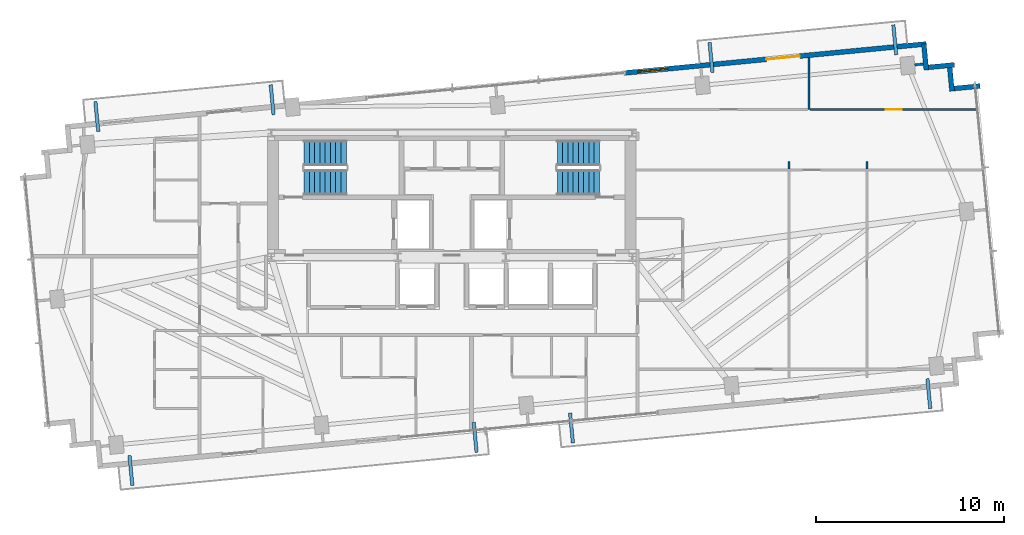
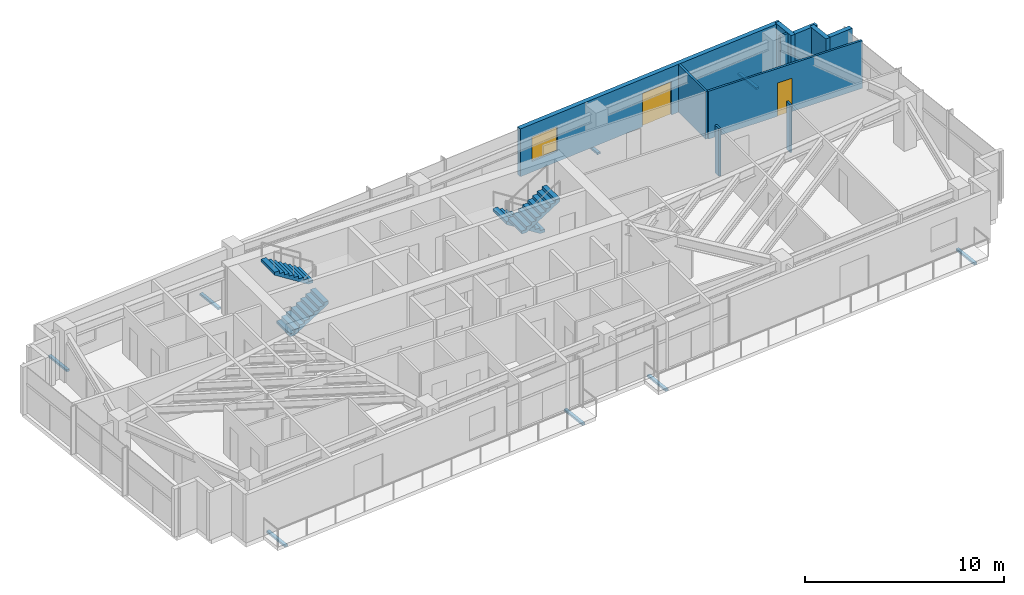
# One storey, part 16 of 18: 10 walls, 8 discrete accessories, 4 stair flights, 2 doors, 1 window, 3 openings, 2 elements without a shape of their own.
"""IFC4 building model written with IfcOpenShell, lengths in metres."""

from ifc_helpers import new_model, si_unit, direction, frame, frame_2d, origin, origin_2d, place, context, subcontext, project, spatial, polyline, rectangle, outline, extrude, source, transform, mapped, material, layer, layer_set, type_object, type_shapes, element, fill, aggregate, save


model = new_model("IFC4")

# Units and contexts
model_context = context("Model", 3, precision=1e-05, world=origin(), true_north=direction((0.0, 1.0)))
body_context = subcontext(model_context, "Body", "Model", "MODEL_VIEW")
ifc_project = project(units=[si_unit("LENGTHUNIT", "METRE"), si_unit("AREAUNIT", "SQUARE_METRE"), si_unit("VOLUMEUNIT", "CUBIC_METRE"), si_unit("PLANEANGLEUNIT", "RADIAN"), si_unit("MASSUNIT", "GRAM", prefix="KILO")], contexts=[model_context])

# Site, building, storey
site_placement = place(None, origin())
site = spatial("IfcSite", under=ifc_project, at=site_placement, CompositionType="ELEMENT")
building_placement = place(site_placement, origin())
building = spatial("IfcBuilding", under=site, at=building_placement, Name="Astriad Promenade Condominiums", CompositionType="ELEMENT")
storey_placement = place(building_placement, frame((0.0, 0.0, 179.39990234375)))
storey = spatial("IfcBuildingStorey", under=building, at=storey_placement, Name="L51", CompositionType="ELEMENT", Elevation=179.39990234375)

# Wall, openings, door, window
ifc_material_1 = material(Name="Precast concrete C50/60", Category="concrete")
ifc_layer_1 = layer(ifc_material_1, 0.260009765625)
ifc_layer_set_1 = layer_set([ifc_layer_1], Name="Precast concrete C50/60")
wall_type_1 = type_object("IfcWallType", Name="WALL-EXT-TWR-260", PredefinedType="STANDARD", material=ifc_layer_set_1)
wall_1_placement = place(storey_placement, frame((45.198974609375, 27.189697265625, 0.0), z_axis=(0.0, 0.0, 1.0), x_axis=(0.995397074604, 0.095836652014, 0.0)))
wall_1 = element("IfcWall", 1, at=wall_1_placement, inside=storey, type_object=wall_type_1, Name="W-EXT-L51-N2", PredefinedType="STANDARD", context=body_context, shape_type="SweptSolid", body=[
    extrude(rectangle(XDim=16.10009765625, YDim=0.260009765625, at=frame_2d((8.050048828125, 0.0))), origin(), (0.0, 0.0, 1.0), 2.940185546875),
])
opening_1_placement = place(wall_1_placement, frame((7.550048828125, 0.0, 0.0)))
opening_1 = element("IfcOpeningElement", 2, at=opening_1_placement, cuts=wall_1, Name="Opening BD-1822-SLD", PredefinedType="OPENING", context=body_context, shape_type="SweptSolid", body=[
    extrude(rectangle(XDim=1.800048828125, YDim=2.06005859375, at=frame_2d((0.89990234375, 1.030029296875))), frame((0.0, 0.139892578125, 0.0), z_axis=(0.0, -1.0, 0.0), x_axis=(1.0, 0.0, 0.0)), (0.0, 0.0, 1.0), 0.280029296875),
])
opening_2_placement = place(wall_1_placement, frame((0.699951171875, 0.0, 0.64990234375)))
opening_2 = element("IfcOpeningElement", 3, at=opening_2_placement, cuts=wall_1, Name="Opening WIN-TWR-1620", PredefinedType="OPENING", context=body_context, shape_type="SweptSolid", body=[
    extrude(rectangle(XDim=1.60009765625, YDim=1.5, at=frame_2d((0.800048828125, 0.75))), frame((0.0, 0.139892578125, 0.0), z_axis=(0.0, -1.0, 0.0), x_axis=(1.0, 0.0, 0.0)), (0.0, 0.0, 1.0), 0.280029296875),
])
ifc_material_2 = material(Name="Thermally Broken Aluminium Sliding Balcony Door", Category="aluminium")
door_type_1 = type_object("IfcDoorType", Name="BD-1822-SLD", OperationType="NOTDEFINED", PredefinedType="DOOR", material=ifc_material_2)
shared_shape_1 = source(origin(), body_context, "Body", "SweptSolid", [
    extrude(rectangle(XDim=1.800048828125, YDim=2.06005859375, at=frame_2d((0.89990234375, 1.030029296875))), frame((0.0, 0.02490234375, 0.0), z_axis=(0.0, -1.0, 0.0), x_axis=(1.0, 0.0, 0.0)), (0.0, 0.0, 1.0), 0.050048828125),
])
type_shapes(door_type_1, [shared_shape_1])
door_1_placement = place(opening_1_placement, origin())
door_1 = element("IfcDoor", 4, at=door_1_placement, inside=storey, type_object=door_type_1, Name="BD-L51-NE", OperationType="SLIDING_TO_RIGHT", OverallHeight=2.06005859375, OverallWidth=1.800048828125, PredefinedType="DOOR", context=body_context, shape_type="MappedRepresentation", body=[
    mapped(shared_shape_1, transform((0.0, 0.0, 0.0), scale=1.0)),
])
fill(opening_1, door_1)
ifc_material_3 = material(Name="Dark Tinted Triple-Glazed Aluminium Window", Category="aluminium")
window_type = type_object("IfcWindowType", Name="WIN-TWR-1620", PartitioningType="SINGLE_PANEL", PredefinedType="WINDOW", material=ifc_material_3)
shared_shape_2 = source(origin(), body_context, "Body", "SweptSolid", [
    extrude(rectangle(XDim=1.60009765625, YDim=1.5, at=frame_2d((0.800048828125, 0.75))), frame((0.0, 0.030029296875, 0.0), z_axis=(0.0, -1.0, 0.0), x_axis=(1.0, 0.0, 0.0)), (0.0, 0.0, 1.0), 0.06005859375),
])
type_shapes(window_type, [shared_shape_2])
window_placement = place(opening_2_placement, origin())
window = element("IfcWindow", 5, at=window_placement, inside=storey, type_object=window_type, Name="WIN-L51-NE", OverallHeight=1.5, OverallWidth=1.60009765625, PartitioningType="SINGLE_PANEL", PredefinedType="WINDOW", context=body_context, shape_type="MappedRepresentation", body=[
    mapped(shared_shape_2, transform((0.0, 0.0, 0.0), scale=1.0)),
])
fill(opening_2, window)

# Walls
wall_2_placement = place(storey_placement, frame((61.093994140625, 28.735107421875, 0.0), z_axis=(0.0, 0.0, 1.0), x_axis=(0.095742423056, -0.99540614245, 0.0)))
element("IfcWall", 6, at=wall_2_placement, inside=storey, type_object=wall_type_1, Name="W-SER-L51-09", PredefinedType="STANDARD", context=body_context, shape_type="SweptSolid", body=[
    extrude(rectangle(XDim=1.394775390625, YDim=0.260009765625, at=frame_2d((0.697265625, 0.0))), origin(), (0.0, 0.0, 1.0), 2.940185546875),
])
wall_3_placement = place(storey_placement, frame((61.32958984375, 27.487060546875, 0.0), z_axis=(0.0, 0.0, 1.0), x_axis=(0.995391056452, 0.09589913835, 0.0)))
element("IfcWall", 7, at=wall_3_placement, inside=storey, type_object=wall_type_1, Name="W-SER-L51-10", PredefinedType="STANDARD", context=body_context, shape_type="SweptSolid", body=[
    extrude(rectangle(XDim=1.39501953125, YDim=0.260009765625, at=frame_2d((0.697509765625, 0.0))), origin(), (0.0, 0.0, 1.0), 2.940185546875),
])
for number, where, z_axis, x_axis, name in (
    (8, (62.4580078125, 27.610595703125, 0.0), (0.0, 0.0, 1.0), (0.095915846097, -0.995389446633, 0.0), "W-SER-L51-11"),
    (9, (62.69384765625, 26.362548828125, 0.0), (0.0, 0.0, 1.0), (0.995389446633, 0.095915846097, 0.0), "W-SER-L51-12"),
):
    element("IfcWall", number, at=place(storey_placement, frame(where, z_axis=z_axis, x_axis=x_axis)), inside=storey, type_object=wall_type_1, Name=name, PredefinedType="STANDARD", context=body_context, shape_type="SweptSolid", body=[
        extrude(rectangle(XDim=1.394775390625, YDim=0.260009765625, at=frame_2d((0.697265625, 0.0))), origin(), (0.0, 0.0, 1.0), 2.940185546875),
    ])
ifc_material_4 = material(Name="Acoustic Metal-Stud Gypsum Partition")
ifc_layer_2 = layer(ifc_material_4, 0.1201171875)
ifc_layer_set_2 = layer_set([ifc_layer_2], Name="Acoustic Metal-Stud Gypsum Partition")
wall_type_2 = type_object("IfcWallType", Name="WALL-PART-120", PredefinedType="PARTITIONING", material=ifc_layer_set_2)
wall_4_placement = place(storey_placement, frame((54.98291015625, 25.2470703125, 0.0), z_axis=(0.0, 0.0, 1.0), x_axis=(0.0, 1.0, 0.0)))
element("IfcWall", 10, at=wall_4_placement, inside=storey, type_object=wall_type_2, Name="PT-L51-E1-B1M", PredefinedType="PARTITIONING", context=body_context, shape_type="SweptSolid", body=[
    extrude(rectangle(XDim=2.751953125, YDim=0.1201171875, at=frame_2d((1.3759765625, 0.0))), origin(), (0.0, 0.0, 1.0), 2.940185546875),
])

# Wall, opening, door
wall_5_placement = place(storey_placement, frame((55.044921875, 25.2470703125, 0.0), z_axis=(0.0, 0.0, 1.0), x_axis=(1.0, 0.0, 0.0)))
wall_5 = element("IfcWall", 11, at=wall_5_placement, inside=storey, type_object=wall_type_2, Name="PT-L51-E1-B1-S2", PredefinedType="PARTITIONING", context=body_context, shape_type="SweptSolid", body=[
    extrude(rectangle(XDim=8.94677734375, YDim=0.1201171875, at=frame_2d((4.473388671875, 0.0))), origin(), (0.0, 0.0, 1.0), 2.940185546875),
])
opening_3_placement = place(wall_5_placement, frame((4.02392578125, 0.0, 0.0)))
opening_3 = element("IfcOpeningElement", 12, at=opening_3_placement, cuts=wall_5, Name="Opening D-INT-085", PredefinedType="OPENING", context=body_context, shape_type="SweptSolid", body=[
    extrude(rectangle(XDim=0.85009765625, YDim=2.050048828125, at=frame_2d((0.425048828125, 1.02490234375))), frame((0.0, 0.070068359375, 0.0), z_axis=(0.0, -1.0, 0.0), x_axis=(1.0, 0.0, 0.0)), (0.0, 0.0, 1.0), 0.14013671875),
])
ifc_material_5 = material(Name="Painted Solid-Core Timber Room Door", Category="wood")
door_type_2 = type_object("IfcDoorType", Name="D-INT-085", OperationType="NOTDEFINED", PredefinedType="DOOR", material=ifc_material_5)
shared_shape_3 = source(origin(), body_context, "Body", "SweptSolid", [
    extrude(rectangle(XDim=0.85009765625, YDim=2.050048828125, at=frame_2d((0.425048828125, 1.02490234375))), frame((0.0, 0.02490234375, 0.0), z_axis=(0.0, -1.0, 0.0), x_axis=(1.0, 0.0, 0.0)), (0.0, 0.0, 1.0), 0.050048828125),
])
type_shapes(door_type_2, [shared_shape_3])
door_2_placement = place(opening_3_placement, origin())
door_2 = element("IfcDoor", 13, at=door_2_placement, inside=storey, type_object=door_type_2, Name="D-BD1B-L51-E1", OperationType="SINGLE_SWING_RIGHT", OverallHeight=2.050048828125, OverallWidth=0.85009765625, PredefinedType="DOOR", context=body_context, shape_type="MappedRepresentation", body=[
    mapped(shared_shape_3, transform((0.0, 0.0, 0.0), scale=1.0)),
])
fill(opening_3, door_2)

# Walls
for number, where, z_axis, x_axis, name in (
    (14, (58.070068359375, 22.093994140625, 0.0), (0.0, 0.0, 1.0), (0.0, 1.0, 0.0), "PT-L51-E1-WDV3-S3"),
    (15, (53.923095703125, 22.093994140625, 0.0), (0.0, 0.0, 1.0), (0.0, 1.0, 0.0), "PT-L51-E1-WDV4-S3"),
):
    element("IfcWall", number, at=place(storey_placement, frame(where, z_axis=z_axis, x_axis=x_axis)), inside=storey, type_object=wall_type_2, Name=name, PredefinedType="PARTITIONING", context=body_context, shape_type="SweptSolid", body=[
        extrude(rectangle(XDim=0.3779296875, YDim=0.1201171875, at=frame_2d((0.18896484375, 0.0))), origin(), (0.0, 0.0, 1.0), 2.940185546875),
    ])
wall_6_placement = place(storey_placement, frame((60.60888671875, 27.618408203125, 0.0), z_axis=(0.0, 0.0, 1.0), x_axis=(0.995384576284, 0.09596637586, 0.0)))
element("IfcWall", 16, at=wall_6_placement, inside=storey, type_object=wall_type_2, Name="PT-PIL-L51-PC10-17", PredefinedType="PARTITIONING", context=body_context, shape_type="SweptSolid", body=[
    extrude(rectangle(XDim=0.4580078125, YDim=0.1201171875, at=frame_2d((0.22900390625, 0.0))), origin(), (0.0, 0.0, 1.0), 2.940185546875),
])

# Stair, stair flights
ifc_material_6 = material(Name="Concrete C50/60", Category="concrete")
stair_type = type_object("IfcStairType", Name="STR-CORE-1350", PredefinedType="HALF_TURN_STAIR", material=ifc_material_6)
stair_1_placement = place(storey_placement, origin())
stair_1 = element("IfcStair", 17, at=stair_1_placement, inside=storey, type_object=stair_type, Name="L51 Enclosed Core Exit Stair ST-1", PredefinedType="HALF_TURN_STAIR")
stair_flight_type = type_object("IfcStairFlightType", Name="SFL-CORE-1350", PredefinedType="STRAIGHT", material=ifc_material_6)
shared_shape_4 = source(origin(), body_context, "Body", "SweptSolid", [
    extrude(outline(polyline([(0.0, 0.0), (0.0, 0.177734375), (0.280029296875, 0.177734375), (0.280029296875, 0.35546875), (0.56005859375, 0.35546875), (0.56005859375, 0.533447265625), (0.840087890625, 0.533447265625), (0.840087890625, 0.711181640625), (1.1201171875, 0.711181640625), (1.1201171875, 0.888916015625), (1.39990234375, 0.888916015625), (1.39990234375, 1.066650390625), (1.679931640625, 1.066650390625), (1.679931640625, 1.244384765625), (1.9599609375, 1.244384765625), (1.9599609375, 1.422119140625), (2.239990234375, 1.422119140625), (2.239990234375, 1.60009765625), (2.239990234375, 1.24462890625), (0.27978515625, 0.0), (0.0, 0.0)])), frame((0.0, 0.675048828125, 0.0), z_axis=(0.0, -1.0, 0.0), x_axis=(1.0, 0.0, 0.0)), (0.0, 0.0, 1.0), 1.35009765625),
])
type_shapes(stair_flight_type, [shared_shape_4])
stair_flight_1_placement = place(storey_placement, frame((28.14990234375, 21.375, 0.0), z_axis=(0.0, 0.0, 1.0), x_axis=(1.0, 0.0, 0.0)))
stair_flight_1 = element("IfcStairFlight", 18, at=stair_flight_1_placement, type_object=stair_flight_type, Name="ST-1 flight 1", NumberOfRisers=9, NumberOfTreads=8, PredefinedType="STRAIGHT", RiserHeight=0.177777778, TreadLength=0.28, context=body_context, shape_type="MappedRepresentation", body=[
    mapped(shared_shape_4, transform((0.0, 0.0, 0.0), scale=1.0)),
])
stair_flight_2_placement = place(storey_placement, frame((30.389892578125, 22.925048828125, 1.60009765625), z_axis=(0.0, 0.0, 1.0), x_axis=(-1.0, 0.0, 0.0)))
stair_flight_2 = element("IfcStairFlight", 19, at=stair_flight_2_placement, type_object=stair_flight_type, Name="ST-1 flight 2", NumberOfRisers=9, NumberOfTreads=8, PredefinedType="STRAIGHT", RiserHeight=0.177777778, TreadLength=0.28, context=body_context, shape_type="MappedRepresentation", body=[
    mapped(shared_shape_4, transform((0.0, 0.0, 0.0), scale=1.0)),
])
aggregate(stair_1, [stair_flight_1, stair_flight_2])

stair_2_placement = place(storey_placement, origin())
stair_2 = element("IfcStair", 20, at=stair_2_placement, inside=storey, type_object=stair_type, Name="L51 Enclosed Core Exit Stair ST-2", PredefinedType="HALF_TURN_STAIR")
stair_flight_3_placement = place(storey_placement, frame((43.85009765625, 22.925048828125, 0.0), z_axis=(0.0, 0.0, 1.0), x_axis=(-1.0, 0.0, 0.0)))
stair_flight_3 = element("IfcStairFlight", 21, at=stair_flight_3_placement, type_object=stair_flight_type, Name="ST-2 flight 1", NumberOfRisers=9, NumberOfTreads=8, PredefinedType="STRAIGHT", RiserHeight=0.177777778, TreadLength=0.28, context=body_context, shape_type="MappedRepresentation", body=[
    mapped(shared_shape_4, transform((0.0, 0.0, 0.0), scale=1.0)),
])
stair_flight_4_placement = place(storey_placement, frame((41.610107421875, 21.375, 1.60009765625), z_axis=(0.0, 0.0, 1.0), x_axis=(1.0, 0.0, 0.0)))
stair_flight_4 = element("IfcStairFlight", 22, at=stair_flight_4_placement, type_object=stair_flight_type, Name="ST-2 flight 2", NumberOfRisers=9, NumberOfTreads=8, PredefinedType="STRAIGHT", RiserHeight=0.177777778, TreadLength=0.28, context=body_context, shape_type="MappedRepresentation", body=[
    mapped(shared_shape_4, transform((0.0, 0.0, 0.0), scale=1.0)),
])
aggregate(stair_2, [stair_flight_3, stair_flight_4])

# Discrete accessories
ifc_material_7 = material(Name="Steel ASTM A572 Grade 50", Category="steel")
discrete_accessory_type = type_object("IfcDiscreteAccessoryType", Name="STEEL BALCONY OUTRIGGER BRACKET", PredefinedType="BRACKET", material=ifc_material_7)
shared_shape_5 = source(origin(), body_context, "Body", "SweptSolid", [
    extrude(rectangle(XDim=1.60009765625, YDim=0.179931640625, at=origin_2d()), origin(), (0.0, 0.0, 1.0), 0.1220703125),
])
type_shapes(discrete_accessory_type, [shared_shape_5])
for number, where, z_axis, x_axis, name in (
    (23, (18.942626953125, 6.0556640625, -0.33984375), (0.0, 0.0, 1.0), (0.09584575252, -0.995396198367, 0.0), "Balcony Outrigger Bracket BAL-L51-SW-A"),
    (24, (37.241943359375, 7.81787109375, -0.33984375), (0.0, 0.0, 1.0), (0.09584575252, -0.995396198367, 0.0), "Balcony Outrigger Bracket BAL-L51-SW-B"),
    (25, (42.36328125, 8.310791015625, -0.33984375), (0.0, 0.0, 1.0), (0.09584575252, -0.995396198367, 0.0), "Balcony Outrigger Bracket BAL-L51-SE-A"),
    (26, (61.359375, 10.139892578125, -0.33984375), (0.0, 0.0, 1.0), (0.09584575252, -0.995396198367, 0.0), "Balcony Outrigger Bracket BAL-L51-SE-B"),
    (27, (17.131103515625, 24.86865234375, -0.33984375), (0.0, 0.0, 1.0), (-0.09584575252, 0.995396198367, 0.0), "Balcony Outrigger Bracket BAL-L51-NW-A"),
    (28, (26.448974609375, 25.765869140625, -0.33984375), (0.0, 0.0, 1.0), (-0.09584575252, 0.995396198367, 0.0), "Balcony Outrigger Bracket BAL-L51-NW-B"),
    (29, (49.781005859375, 28.0126953125, -0.33984375), (0.0, 0.0, 1.0), (-0.09584575252, 0.995396198367, 0.0), "Balcony Outrigger Bracket BAL-L51-NE-A"),
    (30, (59.548095703125, 28.952880859375, -0.33984375), (0.0, 0.0, 1.0), (-0.09584575252, 0.995396198367, 0.0), "Balcony Outrigger Bracket BAL-L51-NE-B"),
):
    element("IfcDiscreteAccessory", number, at=place(storey_placement, frame(where, z_axis=z_axis, x_axis=x_axis)), inside=storey, type_object=discrete_accessory_type, Name=name, PredefinedType="BRACKET", context=body_context, shape_type="MappedRepresentation", body=[
        mapped(shared_shape_5, transform((0.0, 0.0, 0.0), scale=1.0)),
    ])

save(model, "model.ifc")
